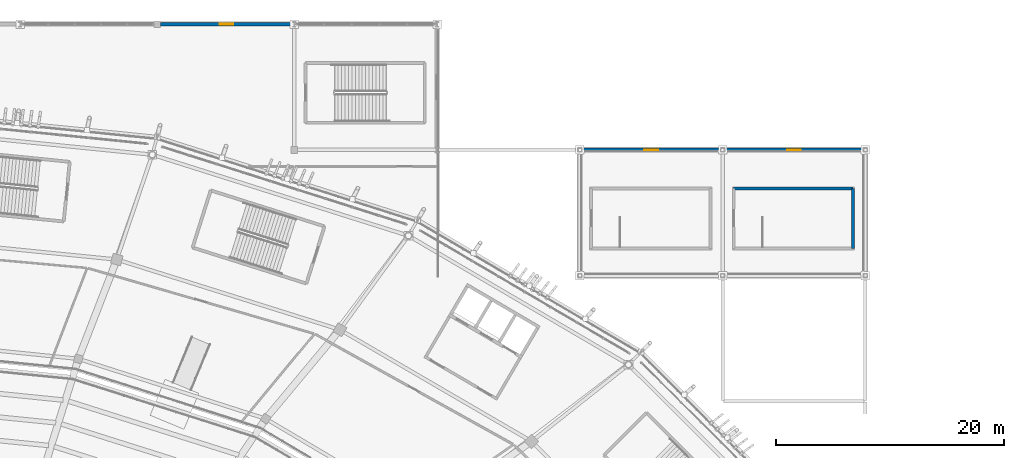
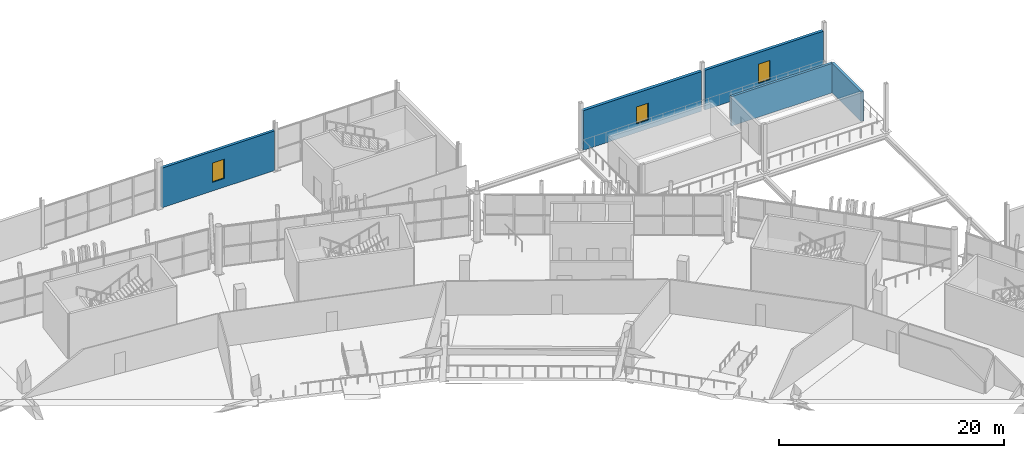
# One storey, part 133 of 178: 5 walls, 3 windows, 3 openings.
"""IFC4 building model written with IfcOpenShell, lengths in metres."""

from ifc_helpers import new_model, si_unit, direction, frame, frame_2d, origin, place, context, subcontext, project, spatial, rectangle, extrude, material, layer, layer_set, type_object, element, fill, save


model = new_model("IFC4")

# Units and contexts
model_context = context("Model", 3, precision=1e-05, world=origin(), true_north=direction((0.0, 1.0)))
body_context = subcontext(model_context, "Body", "Model", "MODEL_VIEW")
ifc_project = project(units=[si_unit("LENGTHUNIT", "METRE"), si_unit("AREAUNIT", "SQUARE_METRE"), si_unit("VOLUMEUNIT", "CUBIC_METRE"), si_unit("PLANEANGLEUNIT", "RADIAN"), si_unit("MASSUNIT", "GRAM", prefix="KILO")], contexts=[model_context])

# Site, building, storey
site_placement = place(None, origin())
site = spatial("IfcSite", under=ifc_project, at=site_placement, CompositionType="ELEMENT")
building_placement = place(site_placement, origin())
building = spatial("IfcBuilding", under=site, at=building_placement, Name="Zlatoyarsky Gate Stadium", CompositionType="ELEMENT")
storey_placement = place(building_placement, frame((0.0, 0.0, 5.39990234375)))
storey = spatial("IfcBuildingStorey", under=building, at=storey_placement, Name="L01", CompositionType="ELEMENT", Elevation=5.39990234375)

# Walls
ifc_material_1 = material(Name="Concrete C40/50", Category="concrete")
ifc_layer_1 = layer(ifc_material_1, 0.25)
ifc_layer_set_1 = layer_set([ifc_layer_1], Name="Concrete C40/50")
wall_type_1 = type_object("IfcWallType", Name="CONCRETE STAIR CORE SHEAR WALL 250", PredefinedType="SHEAR", material=ifc_layer_set_1)
wall_1_placement = place(storey_placement, frame((196.425048828125, 140.375, 0.0), z_axis=(0.0, 0.0, 1.0), x_axis=(0.0, 1.0, 0.0)))
element("IfcWall", 1, at=wall_1_placement, inside=storey, type_object=wall_type_1, Name="ST-28 L01 stair core far shear wall", PredefinedType="SHEAR", context=body_context, shape_type="SweptSolid", body=[
    extrude(rectangle(XDim=5.25, YDim=0.25, at=frame_2d((2.625, 0.0))), origin(), (0.0, 0.0, 1.0), 3.2001953125),
])
wall_2_placement = place(storey_placement, frame((196.425048828125, 145.625, 0.0), z_axis=(0.0, 0.0, 1.0), x_axis=(-1.0, 0.0, 0.0)))
element("IfcWall", 2, at=wall_2_placement, inside=storey, type_object=wall_type_1, Name="ST-28 L01 stair core right shear wall", PredefinedType="SHEAR", context=body_context, shape_type="SweptSolid", body=[
    extrude(rectangle(XDim=10.449951171875, YDim=0.25, at=frame_2d((5.22509765625, 0.0))), origin(), (0.0, 0.0, 1.0), 3.2001953125),
])

# Wall, opening, window
ifc_material_2 = material(Name="Limestone-faced insulated masonry wall", Category="masonry")
ifc_layer_2 = layer(ifc_material_2, 0.300048828125)
ifc_layer_set_2 = layer_set([ifc_layer_2], Name="Limestone-faced insulated masonry wall")
wall_type_2 = type_object("IfcWallType", Name="INSULATED PAVILION FACADE WALL 300", PredefinedType="STANDARD", material=ifc_layer_set_2)
wall_3_placement = place(storey_placement, frame((185.172119140625, 149.0, 0.0), z_axis=(0.0, 0.0, 1.0), x_axis=(1.0, 0.0, 0.0)))
wall_3 = element("IfcWall", 3, at=wall_3_placement, inside=storey, type_object=wall_type_2, Name="V6_NE L01 N exterior wall", PredefinedType="STANDARD", context=body_context, shape_type="SweptSolid", body=[
    extrude(rectangle(XDim=12.15576171875, YDim=0.300048828125, at=frame_2d((6.077880859375, 0.0))), origin(), (0.0, 0.0, 1.0), 4.300048828125),
])
opening_1_placement = place(wall_3_placement, frame((5.47802734375, 0.0, 0.949951171875)))
opening_1 = element("IfcOpeningElement", 4, at=opening_1_placement, cuts=wall_3, Name="Opening WN-04", PredefinedType="OPENING", context=body_context, shape_type="SweptSolid", body=[
    extrude(rectangle(XDim=1.199951171875, YDim=2.10009765625, at=frame_2d((0.60009765625, 1.050048828125))), frame((0.0, 0.159912109375, 0.0), z_axis=(0.0, -1.0, 0.0), x_axis=(1.0, 0.0, 0.0)), (0.0, 0.0, 1.0), 0.320068359375),
])
ifc_material_3 = material(Name="Triple-glazed thermally broken aluminium window", Category="aluminium")
window_type_1 = type_object("IfcWindowType", Name="TRIPLE GLAZED ALUMINIUM WINDOW 1200X2100", PartitioningType="SINGLE_PANEL", PredefinedType="WINDOW", material=ifc_material_3)
window_1_placement = place(opening_1_placement, origin())
window_1 = element("IfcWindow", 5, at=window_1_placement, inside=storey, type_object=window_type_1, Name="Exterior window WIN-L01-088", OverallHeight=2.10009765625, OverallWidth=1.199951171875, PartitioningType="SINGLE_PANEL", PredefinedType="WINDOW", context=body_context, shape_type="SweptSolid", body=[
    extrude(rectangle(XDim=1.199951171875, YDim=2.10009765625, at=frame_2d((0.60009765625, 1.050048828125))), frame((0.0, 0.030029296875, 0.0), z_axis=(0.0, -1.0, 0.0), x_axis=(1.0, 0.0, 0.0)), (0.0, 0.0, 1.0), 0.06005859375),
])
fill(opening_1, window_1)

ifc_material_4 = material(Name="Precast concrete C40/50 architectural panel", Category="concrete")
ifc_layer_3 = layer(ifc_material_4, 0.280029296875)
ifc_layer_set_3 = layer_set([ifc_layer_3], Name="Precast concrete C40/50 architectural panel")
wall_type_3 = type_object("IfcWallType", Name="INSULATED WING SPANDREL WALL 280", PredefinedType="STANDARD", material=ifc_layer_set_3)
wall_4_placement = place(storey_placement, frame((135.797119140625, 160.0, 0.0), z_axis=(0.0, 0.0, 1.0), x_axis=(1.0, 0.0, 0.0)))
wall_4 = element("IfcWall", 6, at=wall_4_placement, inside=storey, type_object=wall_type_3, Name="V2_NORTH L01 N exterior wall", PredefinedType="STANDARD", context=body_context, shape_type="SweptSolid", body=[
    extrude(rectangle(XDim=11.555908203125, YDim=0.280029296875, at=frame_2d((5.77783203125, 0.0))), origin(), (0.0, 0.0, 1.0), 4.300048828125),
])
opening_2_placement = place(wall_4_placement, frame((5.177978515625, 0.0, 0.949951171875)))
opening_2 = element("IfcOpeningElement", 7, at=opening_2_placement, cuts=wall_4, Name="Opening WN-04", PredefinedType="OPENING", context=body_context, shape_type="SweptSolid", body=[
    extrude(rectangle(XDim=1.199951171875, YDim=2.10009765625, at=frame_2d((0.60009765625, 1.050048828125))), frame((0.0, 0.14990234375, 0.0), z_axis=(0.0, -1.0, 0.0), x_axis=(1.0, 0.0, 0.0)), (0.0, 0.0, 1.0), 0.300048828125),
])
window_2_placement = place(opening_2_placement, origin())
window_2 = element("IfcWindow", 8, at=window_2_placement, inside=storey, type_object=window_type_1, Name="Exterior window WIN-L01-004", OverallHeight=2.10009765625, OverallWidth=1.199951171875, PartitioningType="SINGLE_PANEL", PredefinedType="WINDOW", context=body_context, shape_type="SweptSolid", body=[
    extrude(rectangle(XDim=1.199951171875, YDim=2.10009765625, at=frame_2d((0.60009765625, 1.050048828125))), frame((0.0, 0.030029296875, 0.0), z_axis=(0.0, -1.0, 0.0), x_axis=(1.0, 0.0, 0.0)), (0.0, 0.0, 1.0), 0.06005859375),
])
fill(opening_2, window_2)

ifc_layer_4 = layer(ifc_material_4, 0.320068359375)
ifc_layer_set_4 = layer_set([ifc_layer_4], Name="Precast concrete C40/50 architectural panel")
wall_type_4 = type_object("IfcWallType", Name="PRECAST TERRACOTTA FACADE WALL 320", PredefinedType="STANDARD", material=ifc_layer_set_4)
wall_5_placement = place(storey_placement, frame((172.672119140625, 149.0, 0.0), z_axis=(0.0, 0.0, 1.0), x_axis=(1.0, 0.0, 0.0)))
wall_5 = element("IfcWall", 9, at=wall_5_placement, inside=storey, type_object=wall_type_4, Name="V6_NE L01 N exterior wall", PredefinedType="STANDARD", context=body_context, shape_type="SweptSolid", body=[
    extrude(rectangle(XDim=12.15576171875, YDim=0.320068359375, at=frame_2d((6.077880859375, 0.0))), origin(), (0.0, 0.0, 1.0), 4.300048828125),
])
opening_3_placement = place(wall_5_placement, frame((5.47802734375, 0.0, 0.949951171875)))
opening_3 = element("IfcOpeningElement", 10, at=opening_3_placement, cuts=wall_5, Name="Opening WN-03", PredefinedType="OPENING", context=body_context, shape_type="SweptSolid", body=[
    extrude(rectangle(XDim=1.199951171875, YDim=1.85009765625, at=frame_2d((0.60009765625, 0.925048828125))), frame((0.0, 0.169921875, 0.0), z_axis=(0.0, -1.0, 0.0), x_axis=(1.0, 0.0, 0.0)), (0.0, 0.0, 1.0), 0.340087890625),
])
window_type_2 = type_object("IfcWindowType", Name="TRIPLE GLAZED ALUMINIUM WINDOW 1200X1850", PartitioningType="SINGLE_PANEL", PredefinedType="WINDOW", material=ifc_material_3)
window_3_placement = place(opening_3_placement, origin())
window_3 = element("IfcWindow", 11, at=window_3_placement, inside=storey, type_object=window_type_2, Name="Exterior window WIN-L01-087", OverallHeight=1.85009765625, OverallWidth=1.199951171875, PartitioningType="SINGLE_PANEL", PredefinedType="WINDOW", context=body_context, shape_type="SweptSolid", body=[
    extrude(rectangle(XDim=1.199951171875, YDim=1.85009765625, at=frame_2d((0.60009765625, 0.925048828125))), frame((0.0, 0.030029296875, 0.0), z_axis=(0.0, -1.0, 0.0), x_axis=(1.0, 0.0, 0.0)), (0.0, 0.0, 1.0), 0.06005859375),
])
fill(opening_3, window_3)

save(model, "model.ifc")
